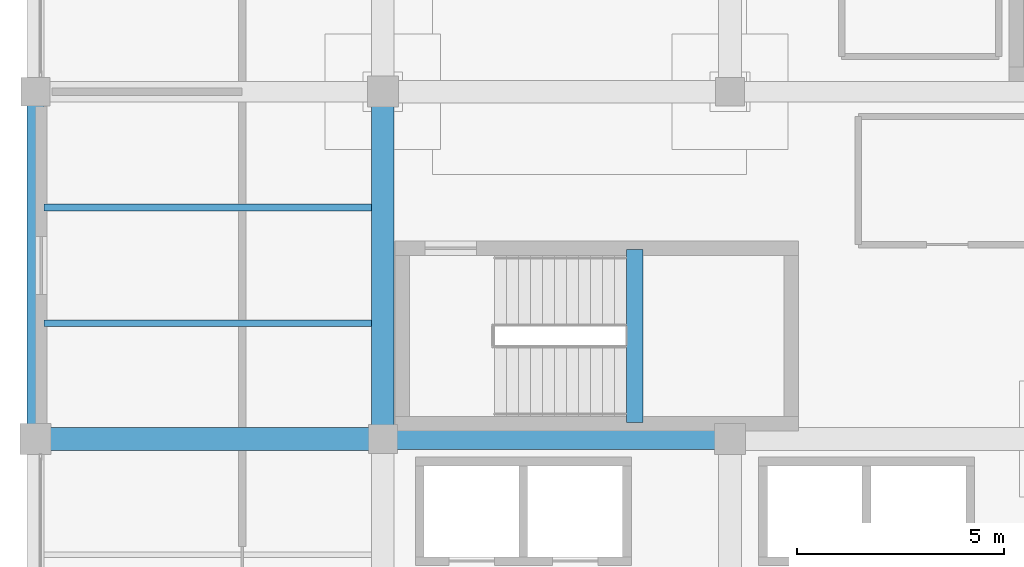
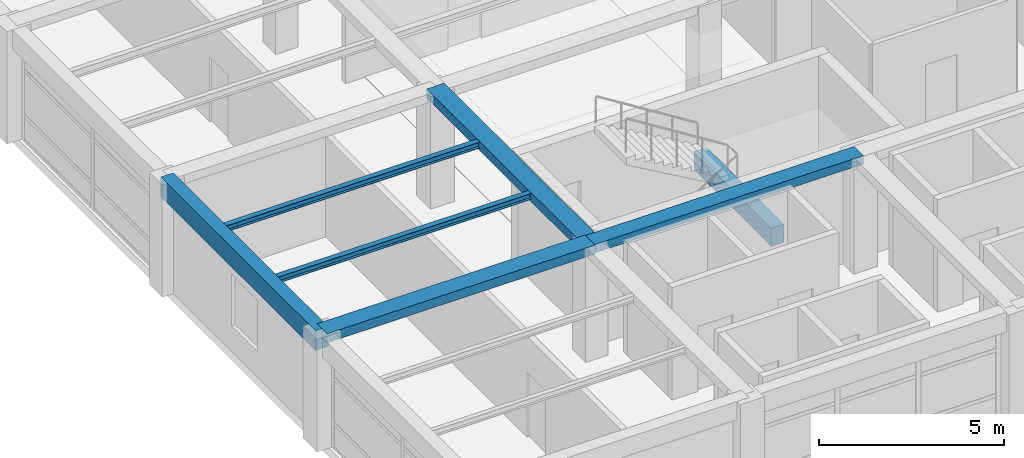
# One storey, part 4 of 31: 7 beams.
"""IFC4 building model written with IfcOpenShell, lengths in metres."""

from ifc_helpers import new_model, si_unit, direction, frame, origin, origin_2d, place, context, subcontext, project, spatial, rectangle, i_section, extrude, material, material_profile, profile_set, type_object, element, save


model = new_model("IFC4")

# Units and contexts
model_context = context("Model", 3, precision=1e-05, world=origin(), true_north=direction((0.0, 1.0)))
body_context = subcontext(model_context, "Body", "Model", "MODEL_VIEW")
ifc_project = project(units=[si_unit("LENGTHUNIT", "METRE"), si_unit("AREAUNIT", "SQUARE_METRE"), si_unit("VOLUMEUNIT", "CUBIC_METRE"), si_unit("PLANEANGLEUNIT", "RADIAN"), si_unit("MASSUNIT", "GRAM", prefix="KILO")], contexts=[model_context])

# Site, building, storey
site_placement = place(None, origin())
site = spatial("IfcSite", under=ifc_project, at=site_placement, CompositionType="ELEMENT")
building_placement = place(site_placement, origin())
building = spatial("IfcBuilding", under=site, at=building_placement, Name="Almacenes y Pasaje Nevantli", CompositionType="ELEMENT")
storey_placement = place(building_placement, frame((0.0, 0.0, 34.699951171875)))
storey = spatial("IfcBuildingStorey", under=building, at=storey_placement, Name="L08", CompositionType="ELEMENT", Elevation=34.699951171875)

# Beams
ifc_material_1 = material(Name="Concrete C35/45", Category="concrete")
ifc_material_profile_1 = material_profile(ifc_material_1, rectangle(XDim=0.39990234375, YDim=0.60009765625, at=origin_2d()), Name="RC-BM-400x600")
ifc_profile_set_1 = profile_set([ifc_material_profile_1], Name="Concrete C35/45")
beam_type_1 = type_object("IfcBeamType", Name="BM-RC-400x600", PredefinedType="SPANDREL", material=ifc_profile_set_1)
beam_1_placement = place(storey_placement, frame((123.68994140625, 76.0, 1.5), z_axis=(0.0, 1.0, 0.0), x_axis=(-1.0, 0.0, 0.0)))
element("IfcBeam", 1, at=beam_1_placement, inside=storey, type_object=beam_type_1, Name="L08 Stair ST-01 Half-Landing Support Beam", PredefinedType="SPANDREL", context=body_context, shape_type="SweptSolid", body=[
    extrude(rectangle(XDim=0.39990234375, YDim=0.60009765625, at=origin_2d()), origin(), (0.0, 0.0, 1.0), 4.18994140625),
])
ifc_material_2 = material(Name="Concrete C35/45", Category="concrete")
ifc_material_profile_2 = material_profile(ifc_material_2, rectangle(XDim=0.39990234375, YDim=0.64990234375, at=origin_2d()), Name="RC-BM-400x650")
ifc_profile_set_2 = profile_set([ifc_material_profile_2], Name="Concrete C35/45")
beam_type_2 = type_object("IfcBeamType", Name="BM-RC-400x650", PredefinedType="SPANDREL", material=ifc_profile_set_2)
beam_2_placement = place(storey_placement, frame((109.199951171875, 75.60009765625, 3.39501953125), z_axis=(0.0, 1.0, 0.0), x_axis=(-1.0, 0.0, 0.0)))
element("IfcBeam", 2, at=beam_2_placement, inside=storey, type_object=beam_type_2, Name="L08 North-South Reinforced Concrete Beam #3716", PredefinedType="SPANDREL", context=body_context, shape_type="SweptSolid", body=[
    extrude(rectangle(XDim=0.39990234375, YDim=0.64990234375, at=origin_2d()), origin(), (0.0, 0.0, 1.0), 8.39990234375),
])
ifc_material_3 = material(Name="Concrete C35/45", Category="concrete")
ifc_material_profile_3 = material_profile(ifc_material_3, rectangle(XDim=0.5, YDim=0.280029296875, at=origin_2d()), Name="RC-BM-500x280")
ifc_profile_set_3 = profile_set([ifc_material_profile_3], Name="Concrete C35/45")
beam_type_3 = type_object("IfcBeamType", Name="BM-RC-500x280", PredefinedType="BEAM", material=ifc_profile_set_3)
beam_3_placement = place(storey_placement, frame((117.60009765625, 75.60009765625, 3.580078125), z_axis=(1.0, 0.0, 0.0), x_axis=(0.0, 1.0, 0.0)))
element("IfcBeam", 3, at=beam_3_placement, inside=storey, type_object=beam_type_3, Name="L08 East-West Reinforced Concrete Beam #3692", PredefinedType="BEAM", context=body_context, shape_type="SweptSolid", body=[
    extrude(rectangle(XDim=0.5, YDim=0.280029296875, at=origin_2d()), origin(), (0.0, 0.0, 1.0), 8.39990234375),
])
ifc_material_4 = material(Name="Concrete C35/45", Category="concrete")
ifc_material_profile_4 = material_profile(ifc_material_4, rectangle(XDim=0.550048828125, YDim=0.300048828125, at=origin_2d()), Name="RC-BM-550x300")
ifc_profile_set_4 = profile_set([ifc_material_profile_4], Name="Concrete C35/45")
beam_type_4 = type_object("IfcBeamType", Name="BM-RC-550x300", PredefinedType="BEAM", material=ifc_profile_set_4)
beam_4_placement = place(storey_placement, frame((109.199951171875, 75.60009765625, 3.570068359375), z_axis=(1.0, 0.0, 0.0), x_axis=(0.0, 1.0, 0.0)))
element("IfcBeam", 4, at=beam_4_placement, inside=storey, type_object=beam_type_4, Name="L08 East-West Reinforced Concrete Beam #3691", PredefinedType="BEAM", context=body_context, shape_type="SweptSolid", body=[
    extrude(rectangle(XDim=0.550048828125, YDim=0.300048828125, at=origin_2d()), origin(), (0.0, 0.0, 1.0), 8.400146484375),
])
beam_5_placement = place(storey_placement, frame((117.60009765625, 75.60009765625, 3.570068359375), z_axis=(0.0, 1.0, 0.0), x_axis=(-1.0, 0.0, 0.0)))
element("IfcBeam", 5, at=beam_5_placement, inside=storey, type_object=beam_type_4, Name="L08 North-South Reinforced Concrete Beam #3720", PredefinedType="BEAM", context=body_context, shape_type="SweptSolid", body=[
    extrude(rectangle(XDim=0.550048828125, YDim=0.300048828125, at=origin_2d()), origin(), (0.0, 0.0, 1.0), 8.39990234375),
])
ifc_material_5 = material(Name="Steel ASTM A992", Category="steel")
ifc_material_profile_5 = material_profile(ifc_material_5, i_section(OverallWidth=0.166015625, OverallDepth=0.205078125, WebThickness=0.007080078125, FlangeThickness=0.01171875, at=origin_2d()), Name="IR 203x41.7")
ifc_profile_set_5 = profile_set([ifc_material_profile_5], Name="Steel ASTM A992")
beam_type_5 = type_object("IfcBeamType", Name="BM-STL-IR-203x41p7", PredefinedType="JOIST", material=ifc_profile_set_5)
for number, where, z_axis, x_axis, name in (
    (6, (109.39990234375, 78.39990234375, 3.609619140625), (1.0, 0.0, 0.0), (0.0, 1.0, 0.0), "L08 Secondary Steel Floor Joist #1423"),
    (7, (109.39990234375, 81.199951171875, 3.609619140625), (1.0, 0.0, 0.0), (0.0, 1.0, 0.0), "L08 Secondary Steel Floor Joist #1424"),
):
    element("IfcBeam", number, at=place(storey_placement, frame(where, z_axis=z_axis, x_axis=x_axis)), inside=storey, type_object=beam_type_5, Name=name, PredefinedType="JOIST", context=body_context, shape_type="SweptSolid", body=[
        extrude(i_section(OverallWidth=0.166015625, OverallDepth=0.205078125, WebThickness=0.007080078125, FlangeThickness=0.01171875, at=origin_2d()), origin(), (0.0, 0.0, 1.0), 7.925048828125),
    ])

save(model, "model.ifc")
